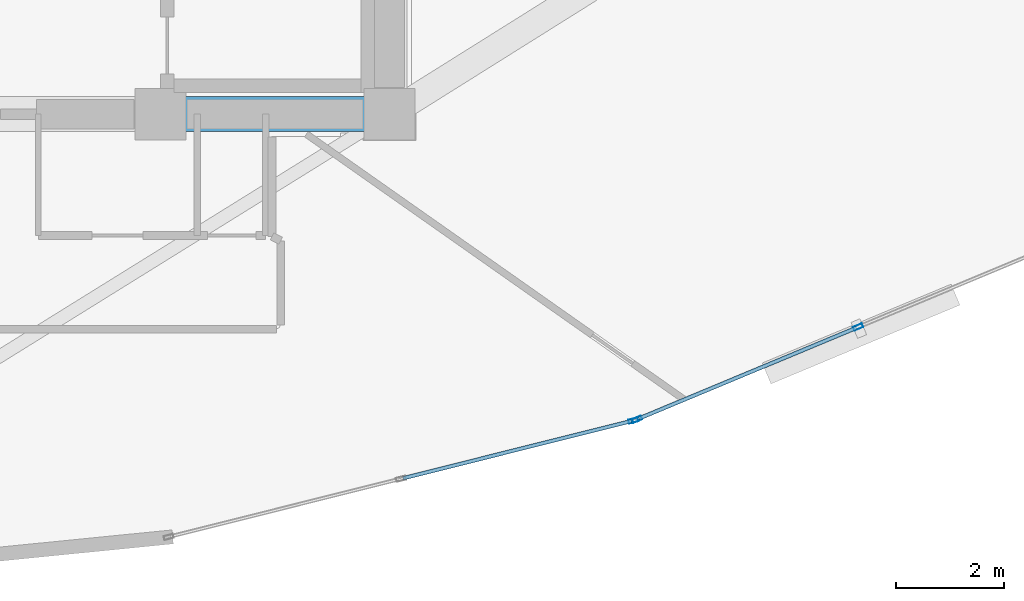
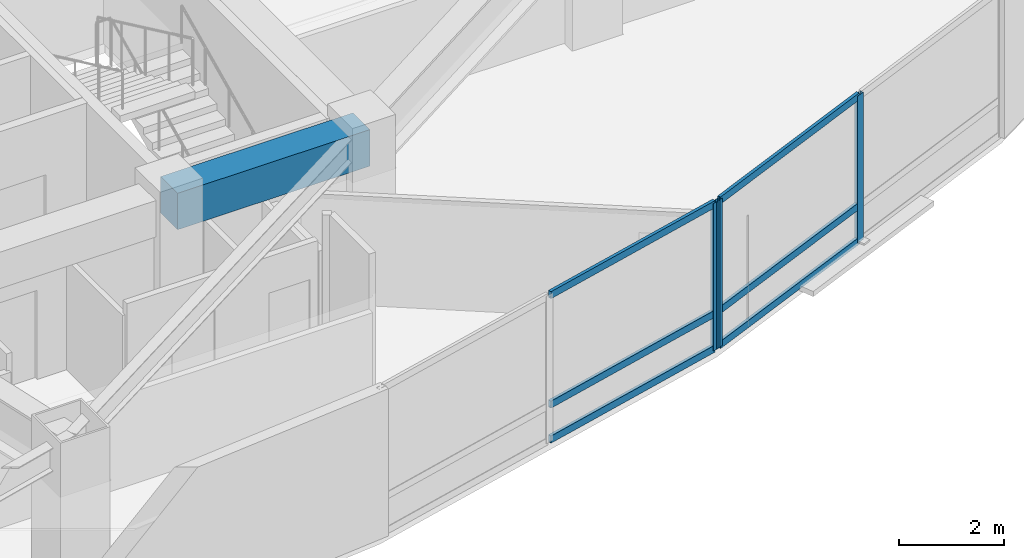
# One storey, part 5 of 18: 9 members, 1 beam, 2 elements without a shape of their own.
"""IFC4 building model written with IfcOpenShell, lengths in metres."""

from ifc_helpers import new_model, si_unit, direction, frame, origin, origin_2d, place, context, subcontext, project, spatial, rectangle, hollow_rectangle, extrude, material, layer, layer_set, material_profile, profile_set, type_object, element, aggregate, save


model = new_model("IFC4")

# Units and contexts
model_context = context("Model", 3, precision=1e-05, world=origin(), true_north=direction((0.0, 1.0)))
body_context = subcontext(model_context, "Body", "Model", "MODEL_VIEW")
ifc_project = project(units=[si_unit("LENGTHUNIT", "METRE"), si_unit("AREAUNIT", "SQUARE_METRE"), si_unit("VOLUMEUNIT", "CUBIC_METRE"), si_unit("PLANEANGLEUNIT", "RADIAN"), si_unit("MASSUNIT", "GRAM", prefix="KILO")], contexts=[model_context])

# Site, building, storey
site_placement = place(None, origin())
site = spatial("IfcSite", under=ifc_project, at=site_placement, CompositionType="ELEMENT")
building_placement = place(site_placement, origin())
building = spatial("IfcBuilding", under=site, at=building_placement, Name="Menara Vayukalpa", CompositionType="ELEMENT")
storey_placement = place(building_placement, frame((0.0, 0.0, 169.199951171875)))
storey = spatial("IfcBuildingStorey", under=building, at=storey_placement, Name="L42", CompositionType="ELEMENT", Elevation=169.199951171875)

# Beam
ifc_material_1 = material(Name="Concrete C60/75", Category="concrete")
ifc_material_profile_1 = material_profile(ifc_material_1, rectangle(XDim=0.64990234375, YDim=0.85009765625, at=origin_2d()), Name="RC 650x850")
ifc_profile_set_1 = profile_set([ifc_material_profile_1], Name="Concrete C60/75")
beam_type = type_object("IfcBeamType", Name="BM-CB1", PredefinedType="BEAM", material=ifc_profile_set_1)
beam_placement = place(storey_placement, frame((29.14990234375, 17.199951171875, 3.01513671875), z_axis=(1.0, 0.0, 0.0), x_axis=(0.0, 1.0, 0.0)))
element("IfcBeam", 1, at=beam_placement, inside=storey, type_object=beam_type, Name="L42 Core Tie Beam CBR3", PredefinedType="BEAM", context=body_context, shape_type="SweptSolid", body=[
    extrude(rectangle(XDim=0.64990234375, YDim=0.85009765625, at=origin_2d()), origin(), (0.0, 0.0, 1.0), 4.25),
])

# Curtain wall, member
ifc_material_2 = material(Name="Anodised Terracotta Aluminium Alloy 6063-T6", Category="masonry")
ifc_layer = layer(ifc_material_2, 0.179931640625)
ifc_layer_set = layer_set([ifc_layer], Name="Anodised Terracotta Aluminium Alloy 6063-T6")
curtain_wall_type = type_object("IfcCurtainWallType", Name="CW-CW4", PredefinedType="USERDEFINED", material=ifc_layer_set)
curtain_wall_1_placement = place(storey_placement, origin())
curtain_wall_1 = element("IfcCurtainWall", 2, at=curtain_wall_1_placement, inside=storey, type_object=curtain_wall_type, Name="L42 Sky Bar Cantilever Glazed Curtain Wall CW4 16", ObjectType="UNITISED", PredefinedType="USERDEFINED")
ifc_material_3 = material(Name="Anodised Terracotta Aluminium Alloy 6063-T6", Category="masonry")
ifc_material_profile_2 = material_profile(ifc_material_3, hollow_rectangle(XDim=0.074951171875, YDim=0.179931640625, WallThickness=0.00390625, at=origin_2d()), Name="ALU 75x180x4")
ifc_profile_set_2 = profile_set([ifc_material_profile_2], Name="Anodised Terracotta Aluminium Alloy 6063-T6")
member_type_1 = type_object("IfcMemberType", Name="CWM-CW4", PredefinedType="MULLION", material=ifc_profile_set_2)
member_1_placement = place(storey_placement, frame((37.92529296875, 11.51318359375, 0.0), z_axis=(0.0, 0.0, 1.0), x_axis=(-0.243112993066, 0.969997975566, 0.0)))
member_1 = element("IfcMember", 3, at=member_1_placement, type_object=member_type_1, Name="CW4 mullion 3", PredefinedType="MULLION", context=body_context, shape_type="SweptSolid", body=[
    extrude(hollow_rectangle(XDim=0.074951171875, YDim=0.179931640625, WallThickness=0.00390625, at=origin_2d()), origin(), (0.0, 0.0, 1.0), 3.43994140625),
])

# Curtain wall, members
curtain_wall_2_placement = place(storey_placement, origin())
curtain_wall_2 = element("IfcCurtainWall", 4, at=curtain_wall_2_placement, inside=storey, type_object=curtain_wall_type, Name="L42 Sky Bar Cantilever Glazed Curtain Wall CW4 17", ObjectType="UNITISED", PredefinedType="USERDEFINED")
member_2_placement = place(storey_placement, frame((37.996337890625, 11.536865234375, 0.0), z_axis=(0.0, 0.0, 1.0), x_axis=(-0.385091352437, 0.922878459104, 0.0)))
member_2 = element("IfcMember", 5, at=member_2_placement, type_object=member_type_1, Name="CW4 mullion 1", PredefinedType="MULLION", context=body_context, shape_type="SweptSolid", body=[
    extrude(hollow_rectangle(XDim=0.074951171875, YDim=0.179931640625, WallThickness=0.00390625, at=origin_2d()), origin(), (0.0, 0.0, 1.0), 3.43994140625),
])
member_3_placement = place(storey_placement, frame((42.098388671875, 13.24853515625, 0.0), z_axis=(0.0, 0.0, 1.0), x_axis=(-0.385091352437, 0.922878459104, 0.0)))
member_3 = element("IfcMember", 6, at=member_3_placement, type_object=member_type_1, Name="CW4 mullion 2", PredefinedType="MULLION", context=body_context, shape_type="SweptSolid", body=[
    extrude(hollow_rectangle(XDim=0.074951171875, YDim=0.179931640625, WallThickness=0.00390625, at=origin_2d()), origin(), (0.0, 0.0, 1.0), 3.43994140625),
])

# Member
ifc_material_4 = material(Name="Anodised Terracotta Aluminium Alloy 6063-T6", Category="masonry")
ifc_material_profile_3 = material_profile(ifc_material_4, hollow_rectangle(XDim=0.070068359375, YDim=0.1650390625, WallThickness=0.00390625, at=origin_2d()), Name="ALU 70x165x4")
ifc_profile_set_3 = profile_set([ifc_material_profile_3], Name="Anodised Terracotta Aluminium Alloy 6063-T6")
member_type_2 = type_object("IfcMemberType", Name="CWT-CW4", PredefinedType="USERDEFINED", material=ifc_profile_set_3)
member_4_placement = place(storey_placement, frame((33.650146484375, 10.441650390625, 0.03515625), z_axis=(0.969991137753, 0.243140273672, 0.0), x_axis=(-0.243140273672, 0.969991137753, 0.0)))
member_4 = element("IfcMember", 7, at=member_4_placement, type_object=member_type_2, Name="CW4 transom 2.1", ObjectType="TRANSOM", PredefinedType="USERDEFINED", context=body_context, shape_type="SweptSolid", body=[
    extrude(hollow_rectangle(XDim=0.070068359375, YDim=0.1650390625, WallThickness=0.00390625, at=origin_2d()), origin(), (0.0, 0.0, 1.0), 4.369873046875),
])

member_5_placement = place(storey_placement, frame((33.650146484375, 10.441650390625, 0.85009765625), z_axis=(0.969991137753, 0.243140273672, 0.0), x_axis=(-0.243140273672, 0.969991137753, 0.0)))
member_5 = element("IfcMember", 8, at=member_5_placement, type_object=member_type_2, Name="CW4 transom 2.2", ObjectType="TRANSOM", PredefinedType="USERDEFINED", context=body_context, shape_type="SweptSolid", body=[
    extrude(hollow_rectangle(XDim=0.070068359375, YDim=0.1650390625, WallThickness=0.00390625, at=origin_2d()), origin(), (0.0, 0.0, 1.0), 4.369873046875),
])

member_6_placement = place(storey_placement, frame((33.650146484375, 10.441650390625, 3.405029296875), z_axis=(0.969991137753, 0.243140273672, 0.0), x_axis=(-0.243140273672, 0.969991137753, 0.0)))
member_6 = element("IfcMember", 9, at=member_6_placement, type_object=member_type_2, Name="CW4 transom 2.3", ObjectType="TRANSOM", PredefinedType="USERDEFINED", context=body_context, shape_type="SweptSolid", body=[
    extrude(hollow_rectangle(XDim=0.070068359375, YDim=0.1650390625, WallThickness=0.00390625, at=origin_2d()), origin(), (0.0, 0.0, 1.0), 4.369873046875),
])

aggregate(curtain_wall_1, [member_1, member_4, member_5, member_6])

member_7_placement = place(storey_placement, frame((38.031005859375, 11.55126953125, 0.03515625), z_axis=(0.922868513183, 0.385115187152, 0.0), x_axis=(-0.385115187152, 0.922868513183, 0.0)))
member_7 = element("IfcMember", 10, at=member_7_placement, type_object=member_type_2, Name="CW4 transom 1.1", ObjectType="TRANSOM", PredefinedType="USERDEFINED", context=body_context, shape_type="SweptSolid", body=[
    extrude(hollow_rectangle(XDim=0.070068359375, YDim=0.1650390625, WallThickness=0.00390625, at=origin_2d()), origin(), (0.0, 0.0, 1.0), 4.369873046875),
])

member_8_placement = place(storey_placement, frame((38.031005859375, 11.55126953125, 0.85009765625), z_axis=(0.922868513183, 0.385115187152, 0.0), x_axis=(-0.385115187152, 0.922868513183, 0.0)))
member_8 = element("IfcMember", 11, at=member_8_placement, type_object=member_type_2, Name="CW4 transom 1.2", ObjectType="TRANSOM", PredefinedType="USERDEFINED", context=body_context, shape_type="SweptSolid", body=[
    extrude(hollow_rectangle(XDim=0.070068359375, YDim=0.1650390625, WallThickness=0.00390625, at=origin_2d()), origin(), (0.0, 0.0, 1.0), 4.369873046875),
])

member_9_placement = place(storey_placement, frame((38.031005859375, 11.55126953125, 3.405029296875), z_axis=(0.922868513183, 0.385115187152, 0.0), x_axis=(-0.385115187152, 0.922868513183, 0.0)))
member_9 = element("IfcMember", 12, at=member_9_placement, type_object=member_type_2, Name="CW4 transom 1.3", ObjectType="TRANSOM", PredefinedType="USERDEFINED", context=body_context, shape_type="SweptSolid", body=[
    extrude(hollow_rectangle(XDim=0.070068359375, YDim=0.1650390625, WallThickness=0.00390625, at=origin_2d()), origin(), (0.0, 0.0, 1.0), 4.369873046875),
])

aggregate(curtain_wall_2, [member_2, member_3, member_7, member_8, member_9])

save(model, "model.ifc")
